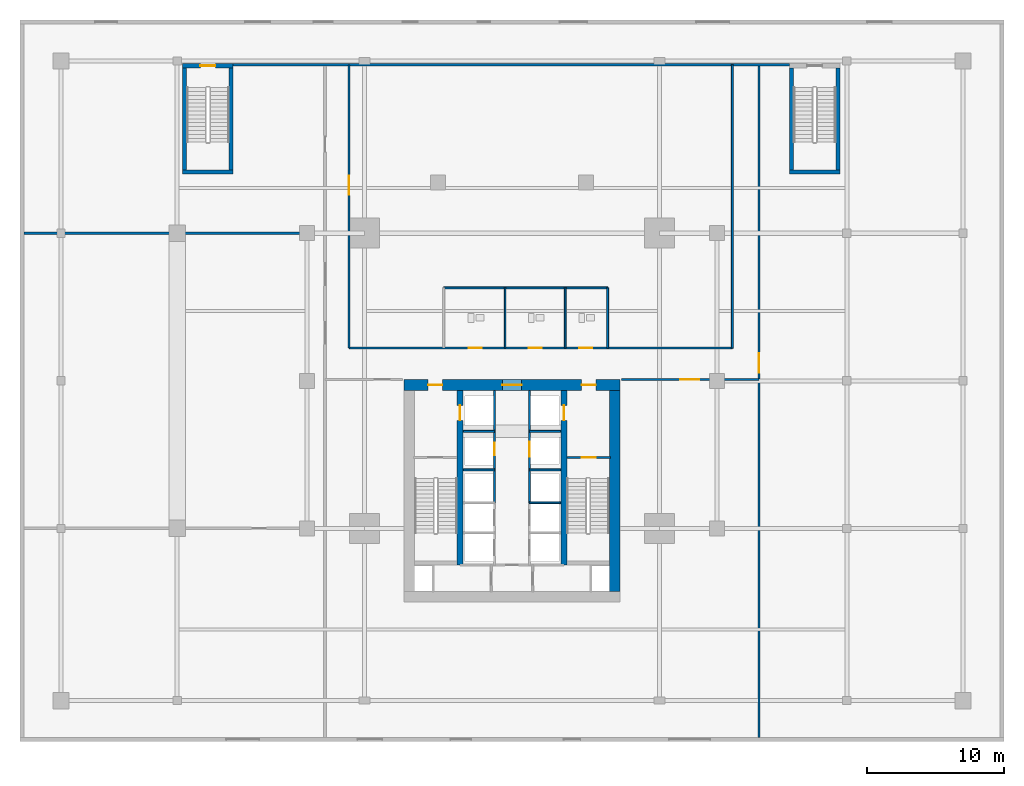
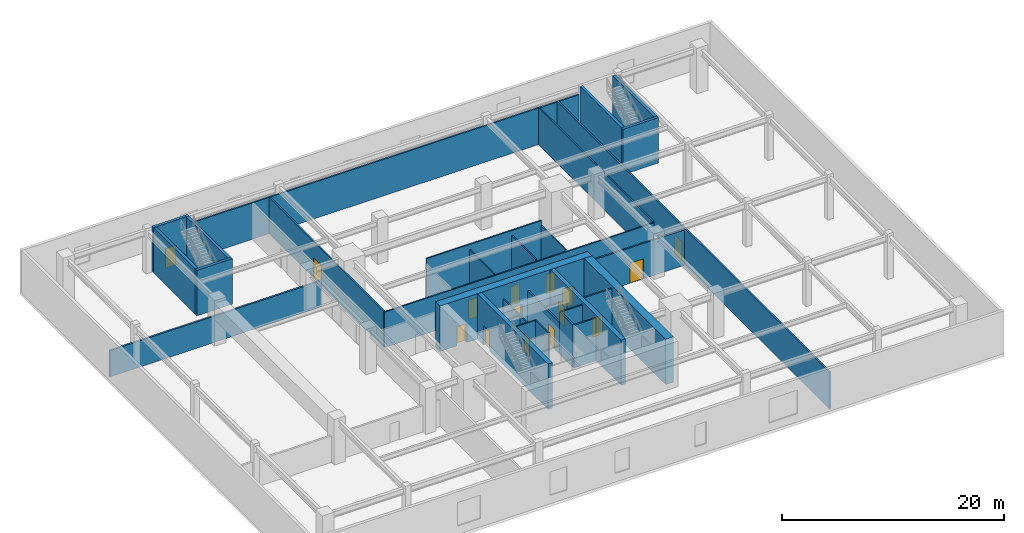
# One storey, part 5 of 10: 32 walls, 15 doors, 15 openings.
"""IFC4 building model written with IfcOpenShell, lengths in metres."""

from ifc_helpers import new_model, si_unit, direction, frame, frame_2d, origin, place, context, subcontext, project, spatial, rectangle, extrude, material, layer, layer_set, type_object, element, fill, save


model = new_model("IFC4")

# Units and contexts
model_context = context("Model", 3, precision=1e-05, world=origin(), true_north=direction((0.0, 1.0)))
body_context = subcontext(model_context, "Body", "Model", "MODEL_VIEW")
ifc_project = project(units=[si_unit("LENGTHUNIT", "METRE"), si_unit("AREAUNIT", "SQUARE_METRE"), si_unit("VOLUMEUNIT", "CUBIC_METRE"), si_unit("PLANEANGLEUNIT", "RADIAN"), si_unit("MASSUNIT", "GRAM", prefix="KILO")], contexts=[model_context])

# Site, building, storey
site_placement = place(None, origin())
site = spatial("IfcSite", under=ifc_project, at=site_placement, CompositionType="ELEMENT")
building_placement = place(site_placement, origin())
building = spatial("IfcBuilding", under=site, at=building_placement, Name="Krantzveldt Concourse Tower", CompositionType="ELEMENT")
storey_placement = place(building_placement, frame((0.0, 0.0, 5.39990234375)))
storey = spatial("IfcBuildingStorey", under=building, at=storey_placement, Name="L01", CompositionType="ELEMENT", Elevation=5.39990234375)

# Walls
ifc_material_1 = material(Name="Fire-rated gypsum plasterboard on steel stud", Category="steel")
ifc_layer_1 = layer(ifc_material_1, 0.1201171875, Name="Fire-rated gypsum plasterboard on steel stud", Category="steel")
ifc_layer_set_1 = layer_set([ifc_layer_1], Name="Fire-rated gypsum plasterboard on steel stud (WL-PART-120)")
wall_type_1 = type_object("IfcWallType", Name="WL-PART-120", PredefinedType="PARTITIONING", material=ifc_layer_set_1)
for number, where, z_axis, x_axis, name in (
    (1, (35.5, 29.10009765625, 0.0), (0.0, 0.0, 1.0), (0.0, 1.0, 0.0), "WP-L01-WCD1"),
    (2, (39.89990234375, 29.10009765625, 0.0), (0.0, 0.0, 1.0), (0.0, 1.0, 0.0), "WP-L01-WCD2"),
):
    element("IfcWall", number, at=place(storey_placement, frame(where, z_axis=z_axis, x_axis=x_axis)), inside=storey, type_object=wall_type_1, Name=name, PredefinedType="PARTITIONING", context=body_context, shape_type="SweptSolid", body=[
        extrude(rectangle(XDim=4.39990234375, YDim=0.1201171875, at=frame_2d((2.199951171875, 0.0))), origin(), (0.0, 0.0, 1.0), 4.150146484375),
    ])

# Wall, openings, doors
ifc_layer_2 = layer(ifc_material_1, 0.139892578125, Name="Fire-rated gypsum plasterboard on steel stud", Category="steel")
ifc_layer_set_2 = layer_set([ifc_layer_2], Name="Fire-rated gypsum plasterboard on steel stud (WL-PART-140)")
wall_type_2 = type_object("IfcWallType", Name="WL-PART-140", PredefinedType="PARTITIONING", material=ifc_layer_set_2)
wall_1_placement = place(storey_placement, frame((24.080078125, 29.10009765625, 0.0), z_axis=(0.0, 0.0, 1.0), x_axis=(1.0, 0.0, 0.0)))
wall_1 = element("IfcWall", 3, at=wall_1_placement, inside=storey, type_object=wall_type_2, Name="WP-L01-CN1", PredefinedType="PARTITIONING", context=body_context, shape_type="SweptSolid", body=[
    extrude(rectangle(XDim=28.0400390625, YDim=0.139892578125, at=frame_2d((14.02001953125, 0.0))), origin(), (0.0, 0.0, 1.0), 3.900146484375),
])
opening_1_placement = place(wall_1_placement, frame((8.7451171875, 0.0, 0.0)))
opening_1 = element("IfcOpeningElement", 4, at=opening_1_placement, cuts=wall_1, Name="Opening D-IN095", PredefinedType="OPENING", context=body_context, shape_type="SweptSolid", body=[
    extrude(rectangle(XDim=0.949951171875, YDim=2.10009765625, at=frame_2d((0.47509765625, 1.050048828125))), frame((0.0, 0.080078125, 0.0), z_axis=(0.0, -1.0, 0.0), x_axis=(1.0, 0.0, 0.0)), (0.0, 0.0, 1.0), 0.159912109375),
])
opening_2_placement = place(wall_1_placement, frame((13.14501953125, 0.0, 0.0)))
opening_2 = element("IfcOpeningElement", 5, at=opening_2_placement, cuts=wall_1, Name="Opening D-IN095", PredefinedType="OPENING", context=body_context, shape_type="SweptSolid", body=[
    extrude(rectangle(XDim=0.949951171875, YDim=2.10009765625, at=frame_2d((0.47509765625, 1.050048828125))), frame((0.0, 0.080078125, 0.0), z_axis=(0.0, -1.0, 0.0), x_axis=(1.0, 0.0, 0.0)), (0.0, 0.0, 1.0), 0.159912109375),
])
opening_3_placement = place(wall_1_placement, frame((16.844970703125, 0.0, 0.0)))
opening_3 = element("IfcOpeningElement", 6, at=opening_3_placement, cuts=wall_1, Name="Opening D-IN095", PredefinedType="OPENING", context=body_context, shape_type="SweptSolid", body=[
    extrude(rectangle(XDim=0.949951171875, YDim=2.10009765625, at=frame_2d((0.47509765625, 1.050048828125))), frame((0.0, 0.080078125, 0.0), z_axis=(0.0, -1.0, 0.0), x_axis=(1.0, 0.0, 0.0)), (0.0, 0.0, 1.0), 0.159912109375),
])
ifc_material_2 = material(Name="Hardwood timber", Category="wood")
door_type_1 = type_object("IfcDoorType", Name="DR-INT-950", OperationType="SINGLE_SWING_LEFT", PredefinedType="DOOR", material=ifc_material_2)
door_1_placement = place(opening_1_placement, origin())
door_1 = element("IfcDoor", 7, at=door_1_placement, inside=storey, type_object=door_type_1, Name="DR-L01-WCM", OperationType="SINGLE_SWING_LEFT", OverallHeight=2.10009765625, OverallWidth=0.949951171875, PredefinedType="DOOR", context=body_context, shape_type="SweptSolid", body=[
    extrude(rectangle(XDim=0.949951171875, YDim=2.10009765625, at=frame_2d((0.47509765625, 1.050048828125))), frame((0.0, 0.02490234375, 0.0), z_axis=(0.0, -1.0, 0.0), x_axis=(1.0, 0.0, 0.0)), (0.0, 0.0, 1.0), 0.050048828125),
])
fill(opening_1, door_1)
door_2_placement = place(opening_2_placement, origin())
door_2 = element("IfcDoor", 8, at=door_2_placement, inside=storey, type_object=door_type_1, Name="DR-L01-WCF", OperationType="SINGLE_SWING_RIGHT", OverallHeight=2.10009765625, OverallWidth=0.949951171875, PredefinedType="DOOR", context=body_context, shape_type="SweptSolid", body=[
    extrude(rectangle(XDim=0.949951171875, YDim=2.10009765625, at=frame_2d((0.47509765625, 1.050048828125))), frame((0.0, 0.02490234375, 0.0), z_axis=(0.0, -1.0, 0.0), x_axis=(1.0, 0.0, 0.0)), (0.0, 0.0, 1.0), 0.050048828125),
])
fill(opening_2, door_2)
door_3_placement = place(opening_3_placement, origin())
door_3 = element("IfcDoor", 9, at=door_3_placement, inside=storey, type_object=door_type_1, Name="DR-L01-WCA", OperationType="SINGLE_SWING_LEFT", OverallHeight=2.10009765625, OverallWidth=0.949951171875, PredefinedType="DOOR", context=body_context, shape_type="SweptSolid", body=[
    extrude(rectangle(XDim=0.949951171875, YDim=2.10009765625, at=frame_2d((0.47509765625, 1.050048828125))), frame((0.0, 0.02490234375, 0.0), z_axis=(0.0, -1.0, 0.0), x_axis=(1.0, 0.0, 0.0)), (0.0, 0.0, 1.0), 0.050048828125),
])
fill(opening_3, door_3)

# Wall, opening, door
wall_2_placement = place(storey_placement, frame((24.080078125, 29.10009765625, 0.0), z_axis=(0.0, 0.0, 1.0), x_axis=(0.0, 1.0, 0.0)))
wall_2 = element("IfcWall", 10, at=wall_2_placement, inside=storey, type_object=wall_type_2, Name="WP-L01-CWL2", PredefinedType="PARTITIONING", context=body_context, shape_type="SweptSolid", body=[
    extrude(rectangle(XDim=20.719970703125, YDim=0.139892578125, at=frame_2d((10.35986328125, 0.0))), origin(), (0.0, 0.0, 1.0), 4.0),
])
opening_4_placement = place(wall_2_placement, frame((11.199951171875, 0.0, 0.0)))
opening_4 = element("IfcOpeningElement", 11, at=opening_4_placement, cuts=wall_2, Name="Opening D-DB140", PredefinedType="OPENING", context=body_context, shape_type="SweptSolid", body=[
    extrude(rectangle(XDim=1.39990234375, YDim=2.199951171875, at=frame_2d((0.699951171875, 1.10009765625))), frame((0.0, 0.080078125, 0.0), z_axis=(0.0, -1.0, 0.0), x_axis=(1.0, 0.0, 0.0)), (0.0, 0.0, 1.0), 0.159912109375),
])
ifc_material_3 = material(Name="Anodised aluminium 6063-T6", Category="aluminium")
door_type_2 = type_object("IfcDoorType", Name="DR-DBL-1400", OperationType="DOUBLE_DOOR_SINGLE_SWING", PredefinedType="DOOR", material=ifc_material_3)
door_4_placement = place(opening_4_placement, origin())
door_4 = element("IfcDoor", 12, at=door_4_placement, inside=storey, type_object=door_type_2, Name="DR-L01-FOY", OperationType="DOUBLE_DOOR_SINGLE_SWING", OverallHeight=2.199951171875, OverallWidth=1.39990234375, PredefinedType="DOOR", context=body_context, shape_type="SweptSolid", body=[
    extrude(rectangle(XDim=1.39990234375, YDim=2.199951171875, at=frame_2d((0.699951171875, 1.10009765625))), frame((0.0, 0.02490234375, 0.0), z_axis=(0.0, -1.0, 0.0), x_axis=(1.0, 0.0, 0.0)), (0.0, 0.0, 1.0), 0.050048828125),
])
fill(opening_4, door_4)

# Walls
wall_3_placement = place(storey_placement, frame((52.1201171875, 29.10009765625, 0.0), z_axis=(0.0, 0.0, 1.0), x_axis=(0.0, 1.0, 0.0)))
element("IfcWall", 13, at=wall_3_placement, inside=storey, type_object=wall_type_2, Name="WP-L01-CEL1", PredefinedType="PARTITIONING", context=body_context, shape_type="SweptSolid", body=[
    extrude(rectangle(XDim=20.719970703125, YDim=0.139892578125, at=frame_2d((10.35986328125, 0.0))), origin(), (0.0, 0.0, 1.0), 4.06005859375),
])
wall_4_placement = place(storey_placement, frame((31.0, 33.5, 0.0), z_axis=(0.0, 0.0, 1.0), x_axis=(1.0, 0.0, 0.0)))
element("IfcWall", 14, at=wall_4_placement, inside=storey, type_object=wall_type_2, Name="WP-L01-WCN", PredefinedType="PARTITIONING", context=body_context, shape_type="SweptSolid", body=[
    extrude(rectangle(XDim=12.0, YDim=0.139892578125, at=frame_2d((6.0, 0.0))), origin(), (0.0, 0.0, 1.0), 4.7001953125),
])
wall_5_placement = place(storey_placement, frame((43.0, 29.10009765625, 0.0), z_axis=(0.0, 0.0, 1.0), x_axis=(0.0, 1.0, 0.0)))
element("IfcWall", 15, at=wall_5_placement, inside=storey, type_object=wall_type_2, Name="WP-L01-WCE", PredefinedType="PARTITIONING", context=body_context, shape_type="SweptSolid", body=[
    extrude(rectangle(XDim=4.39990234375, YDim=0.139892578125, at=frame_2d((2.199951171875, 0.0))), origin(), (0.0, 0.0, 1.0), 4.150146484375),
])

# Wall, opening, door
ifc_layer_3 = layer(ifc_material_1, 0.159912109375, Name="Fire-rated gypsum plasterboard on steel stud", Category="steel")
ifc_layer_set_3 = layer_set([ifc_layer_3], Name="Fire-rated gypsum plasterboard on steel stud (WL-PART-160)")
wall_type_3 = type_object("IfcWallType", Name="WL-PART-160", PredefinedType="PARTITIONING", material=ifc_layer_set_3)
wall_6_placement = place(storey_placement, frame((44.0, 26.800048828125, 0.0), z_axis=(0.0, 0.0, 1.0), x_axis=(1.0, 0.0, 0.0)))
wall_6 = element("IfcWall", 16, at=wall_6_placement, inside=storey, type_object=wall_type_3, Name="WP-L01-S2", PredefinedType="PARTITIONING", context=body_context, shape_type="SweptSolid", body=[
    extrude(rectangle(XDim=10.080078125, YDim=0.159912109375, at=frame_2d((5.0400390625, 0.0))), origin(), (0.0, 0.0, 1.0), 3.900146484375),
])
opening_5_placement = place(wall_6_placement, frame((4.300048828125, 0.0, 0.0)))
opening_5 = element("IfcOpeningElement", 17, at=opening_5_placement, cuts=wall_6, Name="Opening D-DB140", PredefinedType="OPENING", context=body_context, shape_type="SweptSolid", body=[
    extrude(rectangle(XDim=1.39990234375, YDim=2.199951171875, at=frame_2d((0.699951171875, 1.10009765625))), frame((0.0, 0.08984375, 0.0), z_axis=(0.0, -1.0, 0.0), x_axis=(1.0, 0.0, 0.0)), (0.0, 0.0, 1.0), 0.179931640625),
])
door_5_placement = place(opening_5_placement, origin())
door_5 = element("IfcDoor", 18, at=door_5_placement, inside=storey, type_object=door_type_2, Name="DR-L01-CF1", OperationType="DOUBLE_DOOR_SINGLE_SWING", OverallHeight=2.199951171875, OverallWidth=1.39990234375, PredefinedType="DOOR", context=body_context, shape_type="SweptSolid", body=[
    extrude(rectangle(XDim=1.39990234375, YDim=2.199951171875, at=frame_2d((0.699951171875, 1.10009765625))), frame((0.0, 0.02490234375, 0.0), z_axis=(0.0, -1.0, 0.0), x_axis=(1.0, 0.0, 0.0)), (0.0, 0.0, 1.0), 0.050048828125),
])
fill(opening_5, door_5)

ifc_layer_4 = layer(ifc_material_1, 0.139892578125, Name="Fire-rated gypsum plasterboard on steel stud", Category="steel")
ifc_layer_set_4 = layer_set([ifc_layer_4], Name="Fire-rated gypsum plasterboard on steel stud (WL-PART-FR140)")
wall_type_4 = type_object("IfcWallType", Name="WL-PART-FR140", PredefinedType="PARTITIONING", material=ifc_layer_set_4)
wall_7_placement = place(storey_placement, frame((34.719970703125, 20.199951171875, 0.0), z_axis=(0.0, 0.0, 1.0), x_axis=(0.0, 1.0, 0.0)))
wall_7 = element("IfcWall", 19, at=wall_7_placement, inside=storey, type_object=wall_type_4, Name="WP-L01-SHNW", PredefinedType="PARTITIONING", context=body_context, shape_type="SweptSolid", body=[
    extrude(rectangle(XDim=5.780029296875, YDim=0.139892578125, at=frame_2d((2.89013671875, 0.0))), origin(), (0.0, 0.0, 1.0), 3.5),
])
opening_6_placement = place(wall_7_placement, frame((1.050048828125, 0.0, 0.0)))
opening_6 = element("IfcOpeningElement", 20, at=opening_6_placement, cuts=wall_7, Name="Opening D-FD090", PredefinedType="OPENING", context=body_context, shape_type="SweptSolid", body=[
    extrude(rectangle(XDim=0.89990234375, YDim=2.10009765625, at=frame_2d((0.449951171875, 1.050048828125))), frame((0.0, 0.080078125, 0.0), z_axis=(0.0, -1.0, 0.0), x_axis=(1.0, 0.0, 0.0)), (0.0, 0.0, 1.0), 0.159912109375),
])
door_type_3 = type_object("IfcDoorType", Name="DR-FD60-900", OperationType="SINGLE_SWING_LEFT", PredefinedType="DOOR", material=ifc_material_2)
door_6_placement = place(opening_6_placement, origin())
door_6 = element("IfcDoor", 21, at=door_6_placement, inside=storey, type_object=door_type_3, Name="Electrical Riser Access Door L01", OperationType="SINGLE_SWING_LEFT", OverallHeight=2.10009765625, OverallWidth=0.89990234375, PredefinedType="DOOR", context=body_context, shape_type="SweptSolid", body=[
    extrude(rectangle(XDim=0.89990234375, YDim=2.10009765625, at=frame_2d((0.449951171875, 1.050048828125))), frame((0.0, 0.02490234375, 0.0), z_axis=(0.0, -1.0, 0.0), x_axis=(1.0, 0.0, 0.0)), (0.0, 0.0, 1.0), 0.050048828125),
])
fill(opening_6, door_6)

wall_8_placement = place(storey_placement, frame((37.280029296875, 20.199951171875, 0.0), z_axis=(0.0, 0.0, 1.0), x_axis=(0.0, 1.0, 0.0)))
wall_8 = element("IfcWall", 22, at=wall_8_placement, inside=storey, type_object=wall_type_4, Name="WP-L01-SHNE", PredefinedType="PARTITIONING", context=body_context, shape_type="SweptSolid", body=[
    extrude(rectangle(XDim=5.780029296875, YDim=0.139892578125, at=frame_2d((2.89013671875, 0.0))), origin(), (0.0, 0.0, 1.0), 3.5),
])
opening_7_placement = place(wall_8_placement, frame((0.949951171875, 0.0, 0.0)))
opening_7 = element("IfcOpeningElement", 23, at=opening_7_placement, cuts=wall_8, Name="Opening LD", PredefinedType="OPENING", context=body_context, shape_type="SweptSolid", body=[
    extrude(rectangle(XDim=1.10009765625, YDim=2.14990234375, at=frame_2d((0.550048828125, 1.074951171875))), frame((0.0, 0.080078125, 0.0), z_axis=(0.0, -1.0, 0.0), x_axis=(1.0, 0.0, 0.0)), (0.0, 0.0, 1.0), 0.159912109375),
])
ifc_material_4 = material(Name="Stainless steel 316L", Category="steel")
door_type_4 = type_object("IfcDoorType", Name="DR-SLIDE-LD1100", OperationType="DOUBLE_DOOR_SLIDING", PredefinedType="DOOR", material=ifc_material_4)
door_7_placement = place(opening_7_placement, origin())
door_7 = element("IfcDoor", 24, at=door_7_placement, inside=storey, type_object=door_type_4, Name="LD-L01-GL1", OperationType="DOUBLE_DOOR_SLIDING", OverallHeight=2.14990234375, OverallWidth=1.10009765625, PredefinedType="DOOR", context=body_context, shape_type="SweptSolid", body=[
    extrude(rectangle(XDim=1.10009765625, YDim=2.14990234375, at=frame_2d((0.550048828125, 1.074951171875))), frame((0.0, 0.02490234375, 0.0), z_axis=(0.0, -1.0, 0.0), x_axis=(1.0, 0.0, 0.0)), (0.0, 0.0, 1.0), 0.050048828125),
])
fill(opening_7, door_7)

# Walls
for number, where, z_axis, x_axis, name in (
    (25, (32.449951171875, 23.0, 0.0), (0.0, 0.0, 1.0), (1.0, 0.0, 0.0), "WP-L01-RISH"),
    (26, (37.280029296875, 23.0, 0.0), (0.0, 0.0, 1.0), (1.0, 0.0, 0.0), "WP-L01-GLH"),
):
    element("IfcWall", number, at=place(storey_placement, frame(where, z_axis=z_axis, x_axis=x_axis)), inside=storey, type_object=wall_type_4, Name=name, PredefinedType="PARTITIONING", context=body_context, shape_type="SweptSolid", body=[
        extrude(rectangle(XDim=2.27001953125, YDim=0.139892578125, at=frame_2d((1.135009765625, 0.0))), origin(), (0.0, 0.0, 1.0), 3.5),
    ])
for number, where, z_axis, x_axis, name in (
    (27, (34.719970703125, 17.780029296875, 0.0), (0.0, 0.0, 1.0), (0.0, 1.0, 0.0), "WP-L01-SHNW2"),
    (28, (37.280029296875, 17.780029296875, 0.0), (0.0, 0.0, 1.0), (0.0, 1.0, 0.0), "WP-L01-SHNE2"),
):
    element("IfcWall", number, at=place(storey_placement, frame(where, z_axis=z_axis, x_axis=x_axis)), inside=storey, type_object=wall_type_4, Name=name, PredefinedType="PARTITIONING", context=body_context, shape_type="SweptSolid", body=[
        extrude(rectangle(XDim=2.419921875, YDim=0.139892578125, at=frame_2d((1.2099609375, 0.0))), origin(), (0.0, 0.0, 1.0), 4.7001953125),
    ])
for number, where, z_axis, x_axis, name in (
    (29, (32.449951171875, 20.179931640625, 0.0), (0.0, 0.0, 1.0), (1.0, 0.0, 0.0), "WP-L01-DIVW3"),
    (30, (37.280029296875, 17.780029296875, 0.0), (0.0, 0.0, 1.0), (1.0, 0.0, 0.0), "WP-L01-DIVE2"),
    (31, (37.280029296875, 20.179931640625, 0.0), (0.0, 0.0, 1.0), (1.0, 0.0, 0.0), "WP-L01-DIVE3"),
):
    element("IfcWall", number, at=place(storey_placement, frame(where, z_axis=z_axis, x_axis=x_axis)), inside=storey, type_object=wall_type_4, Name=name, PredefinedType="PARTITIONING", context=body_context, shape_type="SweptSolid", body=[
        extrude(rectangle(XDim=2.27001953125, YDim=0.139892578125, at=frame_2d((1.135009765625, 0.0))), origin(), (0.0, 0.0, 1.0), 4.7001953125),
    ])

# Wall, opening, door
ifc_layer_5 = layer(ifc_material_1, 0.159912109375, Name="Fire-rated gypsum plasterboard on steel stud", Category="steel")
ifc_layer_set_5 = layer_set([ifc_layer_5], Name="Fire-rated gypsum plasterboard on steel stud (WL-PART-FR160)")
wall_type_5 = type_object("IfcWallType", Name="WL-PART-FR160", PredefinedType="PARTITIONING", material=ifc_layer_set_5)
wall_9_placement = place(storey_placement, frame((40.0400390625, 21.080078125, 0.0), z_axis=(0.0, 0.0, 1.0), x_axis=(1.0, 0.0, 0.0)))
wall_9 = element("IfcWall", 32, at=wall_9_placement, inside=storey, type_object=wall_type_5, Name="WP-L01-ST2", PredefinedType="PARTITIONING", context=body_context, shape_type="SweptSolid", body=[
    extrude(rectangle(XDim=3.159912109375, YDim=0.159912109375, at=frame_2d((1.580078125, 0.0))), origin(), (0.0, 0.0, 1.0), 4.7001953125),
])
opening_8_placement = place(wall_9_placement, frame((1.054931640625, 0.0, 0.0)))
opening_8 = element("IfcOpeningElement", 33, at=opening_8_placement, cuts=wall_9, Name="Opening D-FD105", PredefinedType="OPENING", context=body_context, shape_type="SweptSolid", body=[
    extrude(rectangle(XDim=1.050048828125, YDim=2.10009765625, at=frame_2d((0.52490234375, 1.050048828125))), frame((0.0, 0.08984375, 0.0), z_axis=(0.0, -1.0, 0.0), x_axis=(1.0, 0.0, 0.0)), (0.0, 0.0, 1.0), 0.179931640625),
])
ifc_material_5 = material(Name="Galvanised steel", Category="steel")
door_type_5 = type_object("IfcDoorType", Name="DR-FD120-1050", OperationType="SINGLE_SWING_LEFT", PredefinedType="DOOR", material=ifc_material_5)
door_8_placement = place(opening_8_placement, origin())
door_8 = element("IfcDoor", 34, at=door_8_placement, inside=storey, type_object=door_type_5, Name="DR-L01-ST2", OperationType="SINGLE_SWING_LEFT", OverallHeight=2.10009765625, OverallWidth=1.050048828125, PredefinedType="DOOR", context=body_context, shape_type="SweptSolid", body=[
    extrude(rectangle(XDim=1.050048828125, YDim=2.10009765625, at=frame_2d((0.52490234375, 1.050048828125))), frame((0.0, 0.02490234375, 0.0), z_axis=(0.0, -1.0, 0.0), x_axis=(1.0, 0.0, 0.0)), (0.0, 0.0, 1.0), 0.050048828125),
])
fill(opening_8, door_8)

# Wall
wall_10_placement = place(storey_placement, frame((15.60009765625, 49.820068359375, 0.0), z_axis=(0.0, 0.0, 1.0), x_axis=(1.0, 0.0, 0.0)))
element("IfcWall", 35, at=wall_10_placement, inside=storey, type_object=wall_type_5, Name="WP-L01-CNT", PredefinedType="PARTITIONING", context=body_context, shape_type="SweptSolid", body=[
    extrude(rectangle(XDim=40.699951171875, YDim=0.159912109375, at=frame_2d((20.35009765625, 0.0))), origin(), (0.0, 0.0, 1.0), 4.010009765625),
])

# Wall, opening, door
wall_11_placement = place(storey_placement, frame((54.080078125, 0.60498046875, 0.0), z_axis=(0.0, 0.0, 1.0), x_axis=(0.0, 1.0, 0.0)))
wall_11 = element("IfcWall", 36, at=wall_11_placement, inside=storey, type_object=wall_type_5, Name="WP-L01-CEL2", PredefinedType="PARTITIONING", context=body_context, shape_type="SweptSolid", body=[
    extrude(rectangle(XDim=49.215087890625, YDim=0.159912109375, at=frame_2d((24.607421875, 0.0))), origin(), (0.0, 0.0, 1.0), 4.06005859375),
])
opening_9_placement = place(wall_11_placement, frame((26.695068359375, 0.0, 0.0)))
opening_9 = element("IfcOpeningElement", 37, at=opening_9_placement, cuts=wall_11, Name="Opening D-DB140", PredefinedType="OPENING", context=body_context, shape_type="SweptSolid", body=[
    extrude(rectangle(XDim=1.39990234375, YDim=2.199951171875, at=frame_2d((0.699951171875, 1.10009765625))), frame((0.0, 0.08984375, 0.0), z_axis=(0.0, -1.0, 0.0), x_axis=(1.0, 0.0, 0.0)), (0.0, 0.0, 1.0), 0.179931640625),
])
door_9_placement = place(opening_9_placement, origin())
door_9 = element("IfcDoor", 38, at=door_9_placement, inside=storey, type_object=door_type_2, Name="DR-L01-CF2", OperationType="DOUBLE_DOOR_SINGLE_SWING", OverallHeight=2.199951171875, OverallWidth=1.39990234375, PredefinedType="DOOR", context=body_context, shape_type="SweptSolid", body=[
    extrude(rectangle(XDim=1.39990234375, YDim=2.199951171875, at=frame_2d((0.699951171875, 1.10009765625))), frame((0.0, 0.02490234375, 0.0), z_axis=(0.0, -1.0, 0.0), x_axis=(1.0, 0.0, 0.0)), (0.0, 0.0, 1.0), 0.050048828125),
])
fill(opening_9, door_9)

# Walls
ifc_layer_6 = layer(ifc_material_1, 0.179931640625, Name="Fire-rated gypsum plasterboard on steel stud", Category="steel")
ifc_layer_set_6 = layer_set([ifc_layer_6], Name="Fire-rated gypsum plasterboard on steel stud (WL-PART-FR180)")
wall_type_6 = type_object("IfcWallType", Name="WL-PART-FR180", PredefinedType="PARTITIONING", material=ifc_layer_set_6)
wall_12_placement = place(storey_placement, frame((0.304931640625, 37.5, 0.0), z_axis=(0.0, 0.0, 1.0), x_axis=(1.0, 0.0, 0.0)))
element("IfcWall", 39, at=wall_12_placement, inside=storey, type_object=wall_type_6, Name="WP-L01-AUDN", PredefinedType="PARTITIONING", context=body_context, shape_type="SweptSolid", body=[
    extrude(rectangle(XDim=22.01513671875, YDim=0.179931640625, at=frame_2d((11.007568359375, 0.0))), origin(), (0.0, 0.0, 1.0), 2.900146484375),
])
ifc_material_6 = material(Name="Concrete C50/60", Category="concrete")
ifc_layer_7 = layer(ifc_material_6, 0.300048828125, Name="Concrete C50/60", Category="concrete")
ifc_layer_set_7 = layer_set([ifc_layer_7], Name="Concrete C50/60 (WL-SHEAR-300)")
wall_type_7 = type_object("IfcWallType", Name="WL-SHEAR-300", PredefinedType="SHEAR", material=ifc_layer_set_7)
wall_13_placement = place(storey_placement, frame((11.89990234375, 41.969970703125, 0.0), z_axis=(0.0, 0.0, 1.0), x_axis=(1.0, 0.0, 0.0)))
element("IfcWall", 40, at=wall_13_placement, inside=storey, type_object=wall_type_7, Name="CW-L01-ST3-S", PredefinedType="SHEAR", context=body_context, shape_type="SweptSolid", body=[
    extrude(rectangle(XDim=3.7001953125, YDim=0.300048828125, at=frame_2d((1.85009765625, 0.0))), origin(), (0.0, 0.0, 1.0), 5.0),
])

# Wall, opening, door
wall_14_placement = place(storey_placement, frame((15.60009765625, 49.75, 0.0), z_axis=(0.0, 0.0, 1.0), x_axis=(-1.0, 0.0, 0.0)))
wall_14 = element("IfcWall", 41, at=wall_14_placement, inside=storey, type_object=wall_type_7, Name="CW-L01-ST3-N", PredefinedType="SHEAR", context=body_context, shape_type="SweptSolid", body=[
    extrude(rectangle(XDim=3.7001953125, YDim=0.300048828125, at=frame_2d((1.85009765625, 0.0))), origin(), (0.0, 0.0, 1.0), 5.0),
])
opening_10_placement = place(wall_14_placement, frame((1.300048828125, 0.0, 0.0)))
opening_10 = element("IfcOpeningElement", 42, at=opening_10_placement, cuts=wall_14, Name="Opening D-FD110", PredefinedType="OPENING", context=body_context, shape_type="SweptSolid", body=[
    extrude(rectangle(XDim=1.10009765625, YDim=2.14990234375, at=frame_2d((0.550048828125, 1.074951171875))), frame((0.0, 0.16015625, 0.0), z_axis=(0.0, -1.0, 0.0), x_axis=(1.0, 0.0, 0.0)), (0.0, 0.0, 1.0), 0.320068359375),
])
door_type_6 = type_object("IfcDoorType", Name="DR-FD120-1100", OperationType="SINGLE_SWING_LEFT", PredefinedType="DOOR", material=ifc_material_5)
door_10_placement = place(opening_10_placement, origin())
door_10 = element("IfcDoor", 43, at=door_10_placement, inside=storey, type_object=door_type_6, Name="DR-L01-ST3", OperationType="SINGLE_SWING_LEFT", OverallHeight=2.14990234375, OverallWidth=1.10009765625, PredefinedType="DOOR", context=body_context, shape_type="SweptSolid", body=[
    extrude(rectangle(XDim=1.10009765625, YDim=2.14990234375, at=frame_2d((0.550048828125, 1.074951171875))), frame((0.0, 0.02490234375, 0.0), z_axis=(0.0, -1.0, 0.0), x_axis=(1.0, 0.0, 0.0)), (0.0, 0.0, 1.0), 0.050048828125),
])
fill(opening_10, door_10)

# Walls
for number, where, z_axis, x_axis, name in (
    (44, (12.050048828125, 42.1201171875, 0.0), (0.0, 0.0, 1.0), (0.0, 1.0, 0.0), "CW-L01-ST3-W"),
    (45, (15.449951171875, 42.1201171875, 0.0), (0.0, 0.0, 1.0), (0.0, 1.0, 0.0), "CW-L01-ST3-E"),
):
    element("IfcWall", number, at=place(storey_placement, frame(where, z_axis=z_axis, x_axis=x_axis)), inside=storey, type_object=wall_type_7, Name=name, PredefinedType="SHEAR", context=body_context, shape_type="SweptSolid", body=[
        extrude(rectangle(XDim=7.47998046875, YDim=0.300048828125, at=frame_2d((3.739990234375, 0.0))), origin(), (0.0, 0.0, 1.0), 5.0),
    ])
wall_15_placement = place(storey_placement, frame((56.300048828125, 41.969970703125, 0.0), z_axis=(0.0, 0.0, 1.0), x_axis=(1.0, 0.0, 0.0)))
element("IfcWall", 46, at=wall_15_placement, inside=storey, type_object=wall_type_7, Name="CW-L01-ST4-S", PredefinedType="SHEAR", context=body_context, shape_type="SweptSolid", body=[
    extrude(rectangle(XDim=3.699951171875, YDim=0.300048828125, at=frame_2d((1.85009765625, 0.0))), origin(), (0.0, 0.0, 1.0), 5.0),
])
for number, where, z_axis, x_axis, name in (
    (47, (56.449951171875, 42.1201171875, 0.0), (0.0, 0.0, 1.0), (0.0, 1.0, 0.0), "CW-L01-ST4-W"),
    (48, (59.85009765625, 42.1201171875, 0.0), (0.0, 0.0, 1.0), (0.0, 1.0, 0.0), "CW-L01-ST4-E"),
):
    element("IfcWall", number, at=place(storey_placement, frame(where, z_axis=z_axis, x_axis=x_axis)), inside=storey, type_object=wall_type_7, Name=name, PredefinedType="SHEAR", context=body_context, shape_type="SweptSolid", body=[
        extrude(rectangle(XDim=7.47998046875, YDim=0.300048828125, at=frame_2d((3.739990234375, 0.0))), origin(), (0.0, 0.0, 1.0), 5.0),
    ])

# Wall, opening, door
ifc_layer_8 = layer(ifc_material_6, 0.449951171875, Name="Concrete C50/60", Category="concrete")
ifc_layer_set_8 = layer_set([ifc_layer_8], Name="Concrete C50/60 (WL-SHEAR-450)")
wall_type_8 = type_object("IfcWallType", Name="WL-SHEAR-450", PredefinedType="SHEAR", material=ifc_layer_set_8)
wall_16_placement = place(storey_placement, frame((32.205078125, 13.219970703125, 0.0), z_axis=(0.0, 0.0, 1.0), x_axis=(0.0, 1.0, 0.0)))
wall_16 = element("IfcWall", 49, at=wall_16_placement, inside=storey, type_object=wall_type_8, Name="CW-L01-IW", PredefinedType="SHEAR", context=body_context, shape_type="SweptSolid", body=[
    extrude(rectangle(XDim=12.780029296875, YDim=0.449951171875, at=frame_2d((6.39013671875, 0.0))), origin(), (0.0, 0.0, 1.0), 5.0),
])
opening_11_placement = place(wall_16_placement, frame((10.580078125, 0.0, 0.0)))
opening_11 = element("IfcOpeningElement", 50, at=opening_11_placement, cuts=wall_16, Name="Opening LD", PredefinedType="OPENING", context=body_context, shape_type="SweptSolid", body=[
    extrude(rectangle(XDim=1.10009765625, YDim=2.14990234375, at=frame_2d((0.550048828125, 1.074951171875))), frame((0.0, 0.23486328125, 0.0), z_axis=(0.0, -1.0, 0.0), x_axis=(1.0, 0.0, 0.0)), (0.0, 0.0, 1.0), 0.469970703125),
])
door_11_placement = place(opening_11_placement, origin())
door_11 = element("IfcDoor", 51, at=door_11_placement, inside=storey, type_object=door_type_4, Name="LD-L01-FL1", OperationType="DOUBLE_DOOR_SLIDING", OverallHeight=2.14990234375, OverallWidth=1.10009765625, PredefinedType="DOOR", context=body_context, shape_type="SweptSolid", body=[
    extrude(rectangle(XDim=1.10009765625, YDim=2.14990234375, at=frame_2d((0.550048828125, 1.074951171875))), frame((0.0, 0.02490234375, 0.0), z_axis=(0.0, -1.0, 0.0), x_axis=(1.0, 0.0, 0.0)), (0.0, 0.0, 1.0), 0.050048828125),
])
fill(opening_11, door_11)

wall_17_placement = place(storey_placement, frame((39.794921875, 13.219970703125, 0.0), z_axis=(0.0, 0.0, 1.0), x_axis=(0.0, 1.0, 0.0)))
wall_17 = element("IfcWall", 52, at=wall_17_placement, inside=storey, type_object=wall_type_8, Name="CW-L01-IE", PredefinedType="SHEAR", context=body_context, shape_type="SweptSolid", body=[
    extrude(rectangle(XDim=12.780029296875, YDim=0.449951171875, at=frame_2d((6.39013671875, 0.0))), origin(), (0.0, 0.0, 1.0), 5.0),
])
opening_12_placement = place(wall_17_placement, frame((10.580078125, 0.0, 0.0)))
opening_12 = element("IfcOpeningElement", 53, at=opening_12_placement, cuts=wall_17, Name="Opening LD", PredefinedType="OPENING", context=body_context, shape_type="SweptSolid", body=[
    extrude(rectangle(XDim=1.10009765625, YDim=2.14990234375, at=frame_2d((0.550048828125, 1.074951171875))), frame((0.0, 0.23486328125, 0.0), z_axis=(0.0, -1.0, 0.0), x_axis=(1.0, 0.0, 0.0)), (0.0, 0.0, 1.0), 0.469970703125),
])
door_12_placement = place(opening_12_placement, origin())
door_12 = element("IfcDoor", 54, at=door_12_placement, inside=storey, type_object=door_type_4, Name="LD-L01-FL2", OperationType="DOUBLE_DOOR_SLIDING", OverallHeight=2.14990234375, OverallWidth=1.10009765625, PredefinedType="DOOR", context=body_context, shape_type="SweptSolid", body=[
    extrude(rectangle(XDim=1.10009765625, YDim=2.14990234375, at=frame_2d((0.550048828125, 1.074951171875))), frame((0.0, 0.02490234375, 0.0), z_axis=(0.0, -1.0, 0.0), x_axis=(1.0, 0.0, 0.0)), (0.0, 0.0, 1.0), 0.050048828125),
])
fill(opening_12, door_12)

# Wall, openings, doors
ifc_material_7 = material(Name="Concrete C60/75", Category="concrete")
ifc_layer_9 = layer(ifc_material_7, 0.800048828125, Name="Concrete C60/75", Category="concrete")
ifc_layer_set_9 = layer_set([ifc_layer_9], Name="Concrete C60/75 (WL-SHEAR-800)")
wall_type_9 = type_object("IfcWallType", Name="WL-SHEAR-800", PredefinedType="SHEAR", material=ifc_layer_set_9)
wall_18_placement = place(storey_placement, frame((28.080078125, 26.39990234375, 0.0), z_axis=(0.0, 0.0, 1.0), x_axis=(1.0, 0.0, 0.0)))
wall_18 = element("IfcWall", 55, at=wall_18_placement, inside=storey, type_object=wall_type_9, Name="CW-L01-N", PredefinedType="SHEAR", context=body_context, shape_type="SweptSolid", body=[
    extrude(rectangle(XDim=15.83984375, YDim=0.800048828125, at=frame_2d((7.919921875, 0.0))), origin(), (0.0, 0.0, 1.0), 5.0),
])
opening_13_placement = place(wall_18_placement, frame((7.219970703125, 0.0, 0.0)))
opening_13 = element("IfcOpeningElement", 56, at=opening_13_placement, cuts=wall_18, Name="Opening D-DB140", PredefinedType="OPENING", context=body_context, shape_type="SweptSolid", body=[
    extrude(rectangle(XDim=1.39990234375, YDim=2.199951171875, at=frame_2d((0.699951171875, 1.10009765625))), frame((0.0, 0.41015625, 0.0), z_axis=(0.0, -1.0, 0.0), x_axis=(1.0, 0.0, 0.0)), (0.0, 0.0, 1.0), 0.820068359375),
])
opening_14_placement = place(wall_18_placement, frame((1.77490234375, 0.0, 0.0)))
opening_14 = element("IfcOpeningElement", 57, at=opening_14_placement, cuts=wall_18, Name="Opening D-FD105", PredefinedType="OPENING", context=body_context, shape_type="SweptSolid", body=[
    extrude(rectangle(XDim=1.050048828125, YDim=2.10009765625, at=frame_2d((0.52490234375, 1.050048828125))), frame((0.0, 0.41015625, 0.0), z_axis=(0.0, -1.0, 0.0), x_axis=(1.0, 0.0, 0.0)), (0.0, 0.0, 1.0), 0.820068359375),
])
opening_15_placement = place(wall_18_placement, frame((13.014892578125, 0.0, 0.0)))
opening_15 = element("IfcOpeningElement", 58, at=opening_15_placement, cuts=wall_18, Name="Opening D-FD105", PredefinedType="OPENING", context=body_context, shape_type="SweptSolid", body=[
    extrude(rectangle(XDim=1.050048828125, YDim=2.10009765625, at=frame_2d((0.52490234375, 1.050048828125))), frame((0.0, 0.41015625, 0.0), z_axis=(0.0, -1.0, 0.0), x_axis=(1.0, 0.0, 0.0)), (0.0, 0.0, 1.0), 0.820068359375),
])
door_13_placement = place(opening_13_placement, origin())
door_13 = element("IfcDoor", 59, at=door_13_placement, inside=storey, type_object=door_type_2, Name="DR-L01-LLB", OperationType="DOUBLE_DOOR_SINGLE_SWING", OverallHeight=2.199951171875, OverallWidth=1.39990234375, PredefinedType="DOOR", context=body_context, shape_type="SweptSolid", body=[
    extrude(rectangle(XDim=1.39990234375, YDim=2.199951171875, at=frame_2d((0.699951171875, 1.10009765625))), frame((0.0, 0.02490234375, 0.0), z_axis=(0.0, -1.0, 0.0), x_axis=(1.0, 0.0, 0.0)), (0.0, 0.0, 1.0), 0.050048828125),
])
fill(opening_13, door_13)
door_14_placement = place(opening_14_placement, origin())
door_14 = element("IfcDoor", 60, at=door_14_placement, inside=storey, type_object=door_type_5, Name="DR-L01-FFL1", OperationType="SINGLE_SWING_LEFT", OverallHeight=2.10009765625, OverallWidth=1.050048828125, PredefinedType="DOOR", context=body_context, shape_type="SweptSolid", body=[
    extrude(rectangle(XDim=1.050048828125, YDim=2.10009765625, at=frame_2d((0.52490234375, 1.050048828125))), frame((0.0, 0.02490234375, 0.0), z_axis=(0.0, -1.0, 0.0), x_axis=(1.0, 0.0, 0.0)), (0.0, 0.0, 1.0), 0.050048828125),
])
fill(opening_14, door_14)
door_15_placement = place(opening_15_placement, origin())
door_15 = element("IfcDoor", 61, at=door_15_placement, inside=storey, type_object=door_type_5, Name="DR-L01-FFL2", OperationType="SINGLE_SWING_RIGHT", OverallHeight=2.10009765625, OverallWidth=1.050048828125, PredefinedType="DOOR", context=body_context, shape_type="SweptSolid", body=[
    extrude(rectangle(XDim=1.050048828125, YDim=2.10009765625, at=frame_2d((0.52490234375, 1.050048828125))), frame((0.0, 0.02490234375, 0.0), z_axis=(0.0, -1.0, 0.0), x_axis=(1.0, 0.0, 0.0)), (0.0, 0.0, 1.0), 0.050048828125),
])
fill(opening_15, door_15)

# Wall
wall_19_placement = place(storey_placement, frame((43.52001953125, 11.300048828125, 0.0), z_axis=(0.0, 0.0, 1.0), x_axis=(0.0, 1.0, 0.0)))
element("IfcWall", 62, at=wall_19_placement, inside=storey, type_object=wall_type_9, Name="CW-L01-E", PredefinedType="SHEAR", context=body_context, shape_type="SweptSolid", body=[
    extrude(rectangle(XDim=14.699951171875, YDim=0.800048828125, at=frame_2d((7.35009765625, 0.0))), origin(), (0.0, 0.0, 1.0), 5.0),
])

save(model, "model.ifc")
